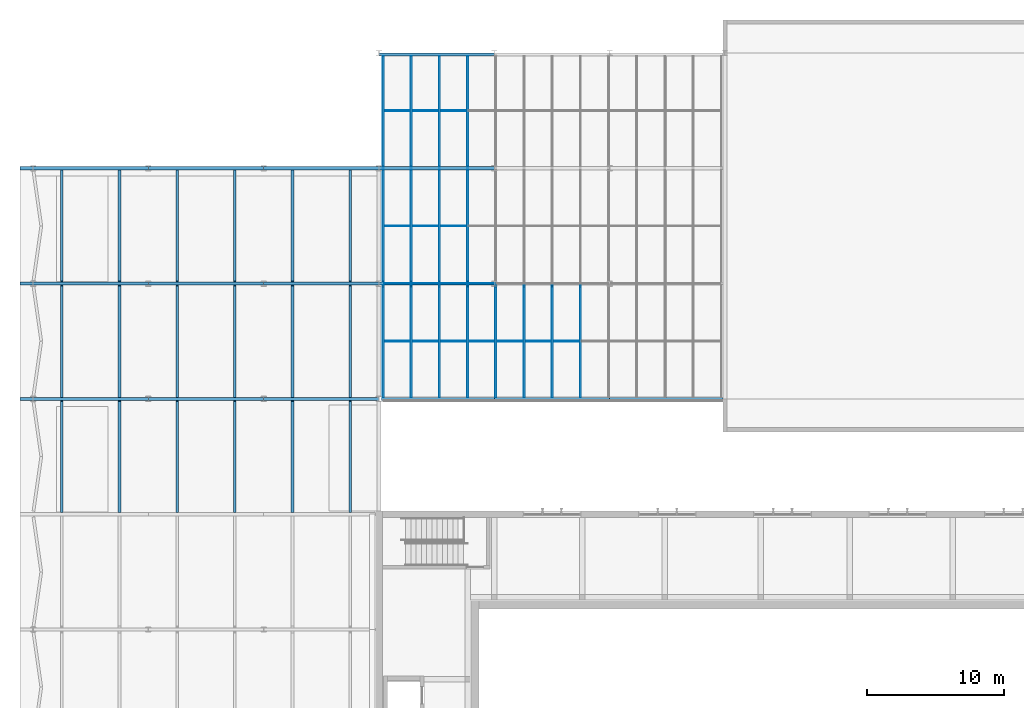
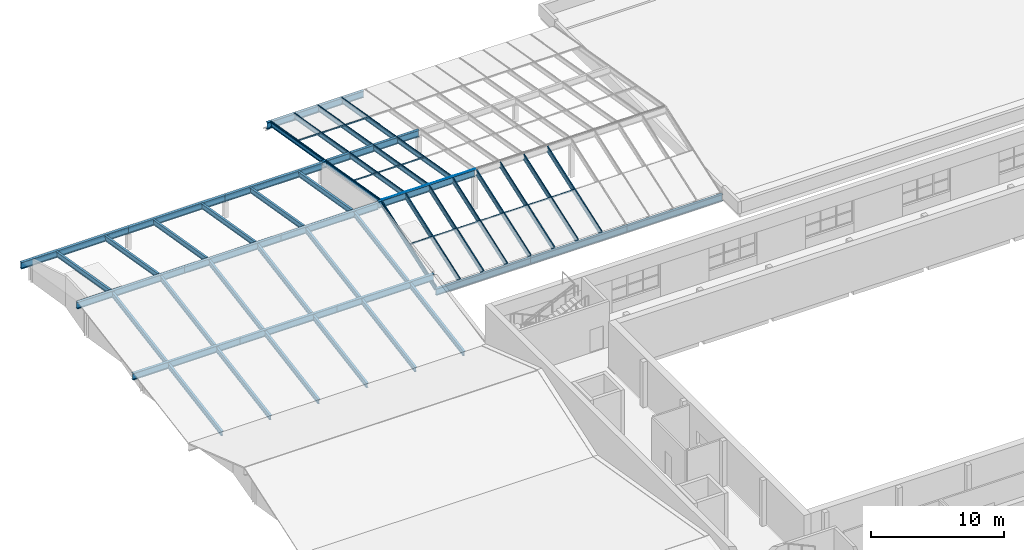
# One storey, part 26 of 60: 49 beams, 33 members, 2 elements without a shape of their own.
"""IFC4 building model written with IfcOpenShell, lengths in metres."""

from ifc_helpers import new_model, si_unit, direction, frame, origin, origin_2d, place, context, subcontext, project, spatial, rectangle, i_section, extrude, material, material_profile, profile_set, type_object, element, aggregate, save


model = new_model("IFC4")

# Units and contexts
model_context = context("Model", 3, precision=1e-05, world=origin(), true_north=direction((0.0, 1.0)))
body_context = subcontext(model_context, "Body", "Model", "MODEL_VIEW")
ifc_project = project(units=[si_unit("LENGTHUNIT", "METRE"), si_unit("AREAUNIT", "SQUARE_METRE"), si_unit("VOLUMEUNIT", "CUBIC_METRE"), si_unit("PLANEANGLEUNIT", "RADIAN"), si_unit("MASSUNIT", "GRAM", prefix="KILO")], contexts=[model_context])

# Site, building, storey
site_placement = place(None, origin())
site = spatial("IfcSite", under=ifc_project, at=site_placement, CompositionType="ELEMENT")
building_placement = place(site_placement, origin())
building = spatial("IfcBuilding", under=site, at=building_placement, Name="Ljudholm Concert House", CompositionType="ELEMENT")
storey_placement = place(building_placement, frame((0.0, 0.0, 15.0)))
storey = spatial("IfcBuildingStorey", under=building, at=storey_placement, Name="L03", CompositionType="ELEMENT", Elevation=15.0)

# Curtain wall, members
ifc_material_1 = material(Name="Aluminium roof glazing with impact-rated laminated glass", Category="aluminium")
curtain_wall_type = type_object("IfcCurtainWallType", Name="GLAZED LANTERN ROOF", PredefinedType="NOTDEFINED", material=ifc_material_1)
curtain_wall_1_placement = place(storey_placement, origin())
curtain_wall_1 = element("IfcCurtainWall", 1, at=curtain_wall_1_placement, inside=storey, type_object=curtain_wall_type, Name="Glazed lantern roof", PredefinedType="NOTDEFINED")
ifc_material_2 = material(Name="Aluminium extrusion", Category="aluminium")
ifc_material_profile_1 = material_profile(ifc_material_2, rectangle(XDim=0.06005859375, YDim=0.05810546875, at=origin_2d()), Name="LANTERN GLAZING BAR 60x58")
ifc_profile_set_1 = profile_set([ifc_material_profile_1], Name="Aluminium extrusion")
member_type_1 = type_object("IfcMemberType", Name="LANTERN GLAZING BAR 60x58", PredefinedType="MULLION", material=ifc_profile_set_1)
member_1_placement = place(storey_placement, frame((29.5, 104.919921875, 0.681640625), z_axis=(0.0, 0.943155877685, 0.332350703907), x_axis=(-1.0, 0.0, 0.0)))
member_1 = element("IfcMember", 2, at=member_1_placement, type_object=member_type_1, Name="Glazing bar", PredefinedType="MULLION", context=body_context, shape_type="SweptSolid", body=[
    extrude(rectangle(XDim=0.06005859375, YDim=0.05810546875, at=origin_2d()), origin(), (0.0, 0.0, 1.0), 8.65185546875),
])
member_2_placement = place(storey_placement, frame((31.55419921875, 104.919921875, 0.681640625), z_axis=(0.0, 0.943155877685, 0.332350703907), x_axis=(-1.0, 0.0, 0.0)))
member_2 = element("IfcMember", 3, at=member_2_placement, type_object=member_type_1, Name="Glazing bar", PredefinedType="MULLION", context=body_context, shape_type="SweptSolid", body=[
    extrude(rectangle(XDim=0.06005859375, YDim=0.05810546875, at=origin_2d()), origin(), (0.0, 0.0, 1.0), 8.65185546875),
])
member_3_placement = place(storey_placement, frame((33.6083984375, 104.919921875, 0.681640625), z_axis=(0.0, 0.943155877685, 0.332350703907), x_axis=(-1.0, 0.0, 0.0)))
member_3 = element("IfcMember", 4, at=member_3_placement, type_object=member_type_1, Name="Glazing bar", PredefinedType="MULLION", context=body_context, shape_type="SweptSolid", body=[
    extrude(rectangle(XDim=0.06005859375, YDim=0.05810546875, at=origin_2d()), origin(), (0.0, 0.0, 1.0), 8.65185546875),
])
member_4_placement = place(storey_placement, frame((35.66259765625, 104.919921875, 0.681640625), z_axis=(0.0, 0.943155877685, 0.332350703907), x_axis=(-1.0, 0.0, 0.0)))
member_4 = element("IfcMember", 5, at=member_4_placement, type_object=member_type_1, Name="Glazing bar", PredefinedType="MULLION", context=body_context, shape_type="SweptSolid", body=[
    extrude(rectangle(XDim=0.06005859375, YDim=0.05810546875, at=origin_2d()), origin(), (0.0, 0.0, 1.0), 8.65185546875),
])
member_5_placement = place(storey_placement, frame((37.716552734375, 104.919921875, 0.681640625), z_axis=(0.0, 0.943155877685, 0.332350703907), x_axis=(-1.0, 0.0, 0.0)))
member_5 = element("IfcMember", 6, at=member_5_placement, type_object=member_type_1, Name="Glazing bar", PredefinedType="MULLION", context=body_context, shape_type="SweptSolid", body=[
    extrude(rectangle(XDim=0.06005859375, YDim=0.05810546875, at=origin_2d()), origin(), (0.0, 0.0, 1.0), 8.65185546875),
])
member_6_placement = place(storey_placement, frame((39.770751953125, 104.919921875, 0.681640625), z_axis=(0.0, 0.943155877685, 0.332350703907), x_axis=(-1.0, 0.0, 0.0)))
member_6 = element("IfcMember", 7, at=member_6_placement, type_object=member_type_1, Name="Glazing bar", PredefinedType="MULLION", context=body_context, shape_type="SweptSolid", body=[
    extrude(rectangle(XDim=0.06005859375, YDim=0.05810546875, at=origin_2d()), origin(), (0.0, 0.0, 1.0), 8.65185546875),
])
member_7_placement = place(storey_placement, frame((41.824951171875, 104.919921875, 0.681640625), z_axis=(0.0, 0.943155877685, 0.332350703907), x_axis=(-1.0, 0.0, 0.0)))
member_7 = element("IfcMember", 8, at=member_7_placement, type_object=member_type_1, Name="Glazing bar", PredefinedType="MULLION", context=body_context, shape_type="SweptSolid", body=[
    extrude(rectangle(XDim=0.06005859375, YDim=0.05810546875, at=origin_2d()), origin(), (0.0, 0.0, 1.0), 8.65185546875),
])
member_8_placement = place(storey_placement, frame((43.879150390625, 104.919921875, 0.681640625), z_axis=(0.0, 0.943155877685, 0.332350703907), x_axis=(-1.0, 0.0, 0.0)))
member_8 = element("IfcMember", 9, at=member_8_placement, type_object=member_type_1, Name="Glazing bar", PredefinedType="MULLION", context=body_context, shape_type="SweptSolid", body=[
    extrude(rectangle(XDim=0.06005859375, YDim=0.05810546875, at=origin_2d()), origin(), (0.0, 0.0, 1.0), 8.65185546875),
])

curtain_wall_2_placement = place(storey_placement, origin())
curtain_wall_2 = element("IfcCurtainWall", 10, at=curtain_wall_2_placement, inside=storey, type_object=curtain_wall_type, Name="Glazed lantern roof", PredefinedType="NOTDEFINED")
member_9_placement = place(storey_placement, frame((29.5, 113.320068359375, 3.580078125), z_axis=(0.0, 0.985738215481, -0.168285978444), x_axis=(-1.0, 0.0, 0.0)))
member_9 = element("IfcMember", 11, at=member_9_placement, type_object=member_type_1, Name="Glazing bar", PredefinedType="MULLION", context=body_context, shape_type="SweptSolid", body=[
    extrude(rectangle(XDim=0.06005859375, YDim=0.05810546875, at=origin_2d()), origin(), (0.0, 0.0, 1.0), 8.278076171875),
])
member_10_placement = place(storey_placement, frame((31.55419921875, 113.320068359375, 3.580078125), z_axis=(0.0, 0.985738215481, -0.168285978444), x_axis=(-1.0, 0.0, 0.0)))
member_10 = element("IfcMember", 12, at=member_10_placement, type_object=member_type_1, Name="Glazing bar", PredefinedType="MULLION", context=body_context, shape_type="SweptSolid", body=[
    extrude(rectangle(XDim=0.06005859375, YDim=0.05810546875, at=origin_2d()), origin(), (0.0, 0.0, 1.0), 8.278076171875),
])
member_11_placement = place(storey_placement, frame((33.6083984375, 113.320068359375, 3.580078125), z_axis=(0.0, 0.985738215481, -0.168285978444), x_axis=(-1.0, 0.0, 0.0)))
member_11 = element("IfcMember", 13, at=member_11_placement, type_object=member_type_1, Name="Glazing bar", PredefinedType="MULLION", context=body_context, shape_type="SweptSolid", body=[
    extrude(rectangle(XDim=0.06005859375, YDim=0.05810546875, at=origin_2d()), origin(), (0.0, 0.0, 1.0), 8.278076171875),
])
member_12_placement = place(storey_placement, frame((35.66259765625, 113.320068359375, 3.580078125), z_axis=(0.0, 0.985738215481, -0.168285978444), x_axis=(-1.0, 0.0, 0.0)))
member_12 = element("IfcMember", 14, at=member_12_placement, type_object=member_type_1, Name="Glazing bar", PredefinedType="MULLION", context=body_context, shape_type="SweptSolid", body=[
    extrude(rectangle(XDim=0.06005859375, YDim=0.05810546875, at=origin_2d()), origin(), (0.0, 0.0, 1.0), 8.278076171875),
])
member_13_placement = place(storey_placement, frame((29.5, 121.719970703125, 2.14599609375), z_axis=(0.0, 0.985741145728, -0.168268813569), x_axis=(-1.0, 0.0, 0.0)))
member_13 = element("IfcMember", 15, at=member_13_placement, type_object=member_type_1, Name="Glazing bar", PredefinedType="MULLION", context=body_context, shape_type="SweptSolid", body=[
    extrude(rectangle(XDim=0.06005859375, YDim=0.05810546875, at=origin_2d()), origin(), (0.0, 0.0, 1.0), 8.161376953125),
])
member_14_placement = place(storey_placement, frame((31.55419921875, 121.719970703125, 2.14599609375), z_axis=(0.0, 0.985741145728, -0.168268813569), x_axis=(-1.0, 0.0, 0.0)))
member_14 = element("IfcMember", 16, at=member_14_placement, type_object=member_type_1, Name="Glazing bar", PredefinedType="MULLION", context=body_context, shape_type="SweptSolid", body=[
    extrude(rectangle(XDim=0.06005859375, YDim=0.05810546875, at=origin_2d()), origin(), (0.0, 0.0, 1.0), 8.161376953125),
])
member_15_placement = place(storey_placement, frame((33.6083984375, 121.719970703125, 2.14599609375), z_axis=(0.0, 0.985741145728, -0.168268813569), x_axis=(-1.0, 0.0, 0.0)))
member_15 = element("IfcMember", 17, at=member_15_placement, type_object=member_type_1, Name="Glazing bar", PredefinedType="MULLION", context=body_context, shape_type="SweptSolid", body=[
    extrude(rectangle(XDim=0.06005859375, YDim=0.05810546875, at=origin_2d()), origin(), (0.0, 0.0, 1.0), 8.161376953125),
])
member_16_placement = place(storey_placement, frame((35.66259765625, 121.719970703125, 2.14599609375), z_axis=(0.0, 0.985741145728, -0.168268813569), x_axis=(-1.0, 0.0, 0.0)))
member_16 = element("IfcMember", 18, at=member_16_placement, type_object=member_type_1, Name="Glazing bar", PredefinedType="MULLION", context=body_context, shape_type="SweptSolid", body=[
    extrude(rectangle(XDim=0.06005859375, YDim=0.05810546875, at=origin_2d()), origin(), (0.0, 0.0, 1.0), 8.161376953125),
])
ifc_material_3 = material(Name="Aluminium extrusion", Category="aluminium")
ifc_material_profile_2 = material_profile(ifc_material_3, rectangle(XDim=0.06005859375, YDim=0.030029296875, at=origin_2d()), Name="LANTERN RIDGE CAP 60x30")
ifc_profile_set_2 = profile_set([ifc_material_profile_2], Name="Aluminium extrusion")
member_type_2 = type_object("IfcMemberType", Name="LANTERN RIDGE CAP 60x30", PredefinedType="USERDEFINED", material=ifc_profile_set_2)
member_17_placement = place(storey_placement, frame((29.570556640625, 113.199951171875, 3.5830078125), z_axis=(1.0, 0.0, 0.0), x_axis=(0.0, 1.0, 0.0)))
member_17 = element("IfcMember", 19, at=member_17_placement, type_object=member_type_2, Name="Lantern ridge cap", ObjectType="TRANSOM", PredefinedType="USERDEFINED", context=body_context, shape_type="SweptSolid", body=[
    extrude(rectangle(XDim=0.06005859375, YDim=0.030029296875, at=origin_2d()), origin(), (0.0, 0.0, 1.0), 1.9130859375),
])
member_18_placement = place(storey_placement, frame((31.624755859375, 113.199951171875, 3.5830078125), z_axis=(1.0, 0.0, 0.0), x_axis=(0.0, 1.0, 0.0)))
member_18 = element("IfcMember", 20, at=member_18_placement, type_object=member_type_2, Name="Lantern ridge cap", ObjectType="TRANSOM", PredefinedType="USERDEFINED", context=body_context, shape_type="SweptSolid", body=[
    extrude(rectangle(XDim=0.06005859375, YDim=0.030029296875, at=origin_2d()), origin(), (0.0, 0.0, 1.0), 1.9130859375),
])
member_19_placement = place(storey_placement, frame((33.6787109375, 113.199951171875, 3.5830078125), z_axis=(1.0, 0.0, 0.0), x_axis=(0.0, 1.0, 0.0)))
member_19 = element("IfcMember", 21, at=member_19_placement, type_object=member_type_2, Name="Lantern ridge cap", ObjectType="TRANSOM", PredefinedType="USERDEFINED", context=body_context, shape_type="SweptSolid", body=[
    extrude(rectangle(XDim=0.06005859375, YDim=0.030029296875, at=origin_2d()), origin(), (0.0, 0.0, 1.0), 1.913330078125),
])
member_20_placement = place(storey_placement, frame((35.73291015625, 113.199951171875, 3.5830078125), z_axis=(1.0, 0.0, 0.0), x_axis=(0.0, 1.0, 0.0)))
member_20 = element("IfcMember", 22, at=member_20_placement, type_object=member_type_2, Name="Lantern ridge cap", ObjectType="TRANSOM", PredefinedType="USERDEFINED", context=body_context, shape_type="SweptSolid", body=[
    extrude(rectangle(XDim=0.06005859375, YDim=0.030029296875, at=origin_2d()), origin(), (0.0, 0.0, 1.0), 1.913330078125),
])

# Member
ifc_material_4 = material(Name="Aluminium extrusion", Category="aluminium")
ifc_material_profile_3 = material_profile(ifc_material_4, rectangle(XDim=0.06005859375, YDim=0.080078125, at=origin_2d()), Name="LANTERN TRANSOM 60x80")
ifc_profile_set_3 = profile_set([ifc_material_profile_3], Name="Aluminium extrusion")
member_type_3 = type_object("IfcMemberType", Name="LANTERN TRANSOM 60x80", PredefinedType="USERDEFINED", material=ifc_profile_set_3)
member_21_placement = place(storey_placement, frame((29.570556640625, 109.0, 2.05029296875), z_axis=(1.0, 0.0, 0.0), x_axis=(0.0, 1.0, 0.0)))
member_21 = element("IfcMember", 23, at=member_21_placement, type_object=member_type_3, Name="Lantern transom", ObjectType="TRANSOM", PredefinedType="USERDEFINED", context=body_context, shape_type="SweptSolid", body=[
    extrude(rectangle(XDim=0.06005859375, YDim=0.080078125, at=origin_2d()), origin(), (0.0, 0.0, 1.0), 1.9130859375),
])

member_22_placement = place(storey_placement, frame((31.624755859375, 109.0, 2.05029296875), z_axis=(1.0, 0.0, 0.0), x_axis=(0.0, 1.0, 0.0)))
member_22 = element("IfcMember", 24, at=member_22_placement, type_object=member_type_3, Name="Lantern transom", ObjectType="TRANSOM", PredefinedType="USERDEFINED", context=body_context, shape_type="SweptSolid", body=[
    extrude(rectangle(XDim=0.06005859375, YDim=0.080078125, at=origin_2d()), origin(), (0.0, 0.0, 1.0), 1.9130859375),
])

member_23_placement = place(storey_placement, frame((33.6787109375, 109.0, 2.05029296875), z_axis=(1.0, 0.0, 0.0), x_axis=(0.0, 1.0, 0.0)))
member_23 = element("IfcMember", 25, at=member_23_placement, type_object=member_type_3, Name="Lantern transom", ObjectType="TRANSOM", PredefinedType="USERDEFINED", context=body_context, shape_type="SweptSolid", body=[
    extrude(rectangle(XDim=0.06005859375, YDim=0.080078125, at=origin_2d()), origin(), (0.0, 0.0, 1.0), 1.913330078125),
])

member_24_placement = place(storey_placement, frame((35.73291015625, 109.0, 2.05029296875), z_axis=(1.0, 0.0, 0.0), x_axis=(0.0, 1.0, 0.0)))
member_24 = element("IfcMember", 26, at=member_24_placement, type_object=member_type_3, Name="Lantern transom", ObjectType="TRANSOM", PredefinedType="USERDEFINED", context=body_context, shape_type="SweptSolid", body=[
    extrude(rectangle(XDim=0.06005859375, YDim=0.080078125, at=origin_2d()), origin(), (0.0, 0.0, 1.0), 1.913330078125),
])

member_25_placement = place(storey_placement, frame((37.787109375, 109.0, 2.05029296875), z_axis=(1.0, 0.0, 0.0), x_axis=(0.0, 1.0, 0.0)))
member_25 = element("IfcMember", 27, at=member_25_placement, type_object=member_type_3, Name="Lantern transom", ObjectType="TRANSOM", PredefinedType="USERDEFINED", context=body_context, shape_type="SweptSolid", body=[
    extrude(rectangle(XDim=0.06005859375, YDim=0.080078125, at=origin_2d()), origin(), (0.0, 0.0, 1.0), 1.913330078125),
])

member_26_placement = place(storey_placement, frame((39.84130859375, 109.0, 2.05029296875), z_axis=(1.0, 0.0, 0.0), x_axis=(0.0, 1.0, 0.0)))
member_26 = element("IfcMember", 28, at=member_26_placement, type_object=member_type_3, Name="Lantern transom", ObjectType="TRANSOM", PredefinedType="USERDEFINED", context=body_context, shape_type="SweptSolid", body=[
    extrude(rectangle(XDim=0.06005859375, YDim=0.080078125, at=origin_2d()), origin(), (0.0, 0.0, 1.0), 1.9130859375),
])

member_27_placement = place(storey_placement, frame((41.8955078125, 109.0, 2.05029296875), z_axis=(1.0, 0.0, 0.0), x_axis=(0.0, 1.0, 0.0)))
member_27 = element("IfcMember", 29, at=member_27_placement, type_object=member_type_3, Name="Lantern transom", ObjectType="TRANSOM", PredefinedType="USERDEFINED", context=body_context, shape_type="SweptSolid", body=[
    extrude(rectangle(XDim=0.06005859375, YDim=0.080078125, at=origin_2d()), origin(), (0.0, 0.0, 1.0), 1.9130859375),
])

aggregate(curtain_wall_1, [member_1, member_2, member_3, member_4, member_5, member_6, member_7, member_8, member_21, member_22, member_23, member_24, member_25, member_26, member_27])

member_28_placement = place(storey_placement, frame((29.570556640625, 117.39990234375, 2.814697265625), z_axis=(1.0, 0.0, 0.0), x_axis=(0.0, 1.0, 0.0)))
member_28 = element("IfcMember", 30, at=member_28_placement, type_object=member_type_3, Name="Lantern transom", ObjectType="TRANSOM", PredefinedType="USERDEFINED", context=body_context, shape_type="SweptSolid", body=[
    extrude(rectangle(XDim=0.06005859375, YDim=0.080078125, at=origin_2d()), origin(), (0.0, 0.0, 1.0), 1.9130859375),
])

member_29_placement = place(storey_placement, frame((31.624755859375, 117.39990234375, 2.814697265625), z_axis=(1.0, 0.0, 0.0), x_axis=(0.0, 1.0, 0.0)))
member_29 = element("IfcMember", 31, at=member_29_placement, type_object=member_type_3, Name="Lantern transom", ObjectType="TRANSOM", PredefinedType="USERDEFINED", context=body_context, shape_type="SweptSolid", body=[
    extrude(rectangle(XDim=0.06005859375, YDim=0.080078125, at=origin_2d()), origin(), (0.0, 0.0, 1.0), 1.9130859375),
])

member_30_placement = place(storey_placement, frame((33.6787109375, 117.39990234375, 2.814697265625), z_axis=(1.0, 0.0, 0.0), x_axis=(0.0, 1.0, 0.0)))
member_30 = element("IfcMember", 32, at=member_30_placement, type_object=member_type_3, Name="Lantern transom", ObjectType="TRANSOM", PredefinedType="USERDEFINED", context=body_context, shape_type="SweptSolid", body=[
    extrude(rectangle(XDim=0.06005859375, YDim=0.080078125, at=origin_2d()), origin(), (0.0, 0.0, 1.0), 1.913330078125),
])

member_31_placement = place(storey_placement, frame((29.570556640625, 125.800048828125, 1.380615234375), z_axis=(1.0, 0.0, 0.0), x_axis=(0.0, 1.0, 0.0)))
member_31 = element("IfcMember", 33, at=member_31_placement, type_object=member_type_3, Name="Lantern transom", ObjectType="TRANSOM", PredefinedType="USERDEFINED", context=body_context, shape_type="SweptSolid", body=[
    extrude(rectangle(XDim=0.06005859375, YDim=0.080078125, at=origin_2d()), origin(), (0.0, 0.0, 1.0), 1.9130859375),
])

member_32_placement = place(storey_placement, frame((31.624755859375, 125.800048828125, 1.380615234375), z_axis=(1.0, 0.0, 0.0), x_axis=(0.0, 1.0, 0.0)))
member_32 = element("IfcMember", 34, at=member_32_placement, type_object=member_type_3, Name="Lantern transom", ObjectType="TRANSOM", PredefinedType="USERDEFINED", context=body_context, shape_type="SweptSolid", body=[
    extrude(rectangle(XDim=0.06005859375, YDim=0.080078125, at=origin_2d()), origin(), (0.0, 0.0, 1.0), 1.9130859375),
])

member_33_placement = place(storey_placement, frame((33.6787109375, 125.800048828125, 1.380615234375), z_axis=(1.0, 0.0, 0.0), x_axis=(0.0, 1.0, 0.0)))
member_33 = element("IfcMember", 35, at=member_33_placement, type_object=member_type_3, Name="Lantern transom", ObjectType="TRANSOM", PredefinedType="USERDEFINED", context=body_context, shape_type="SweptSolid", body=[
    extrude(rectangle(XDim=0.06005859375, YDim=0.080078125, at=origin_2d()), origin(), (0.0, 0.0, 1.0), 1.913330078125),
])

aggregate(curtain_wall_2, [member_9, member_10, member_11, member_12, member_28, member_29, member_30, member_13, member_14, member_15, member_16, member_31, member_32, member_33, member_17, member_18, member_19, member_20])

# Beams
ifc_material_5 = material(Name="Steel ASTM A992", Category="steel")
ifc_material_profile_4 = material_profile(ifc_material_5, i_section(OverallWidth=0.177734375, OverallDepth=0.406494140625, WebThickness=0.0078125, FlangeThickness=0.012939453125, FilletRadius=0.01025390625, at=origin_2d()), Name="W16X40")
ifc_profile_set_4 = profile_set([ifc_material_profile_4], Name="Steel ASTM A992")
beam_type_1 = type_object("IfcBeamType", Name="STEEL BEAM W16X40", PredefinedType="BEAM", material=ifc_profile_set_4)
for number, where, z_axis, x_axis, name in (
    (36, (29.5, 104.981689453125, 0.458984375), (0.0, 0.943162118982, 0.332332991618), (-1.0, 0.0, 0.0), "Roof rafter"),
    (37, (31.55419921875, 104.981689453125, 0.458984375), (0.0, 0.943162118982, 0.332332991618), (-1.0, 0.0, 0.0), "Roof rafter"),
    (38, (33.6083984375, 104.981689453125, 0.458984375), (0.0, 0.943162118982, 0.332332991618), (-1.0, 0.0, 0.0), "Roof rafter"),
    (39, (35.66259765625, 104.981689453125, 0.458984375), (0.0, 0.943162118982, 0.332332991618), (-1.0, 0.0, 0.0), "Roof rafter"),
    (40, (37.716552734375, 104.981689453125, 0.458984375), (0.0, 0.943162118982, 0.332332991618), (-1.0, 0.0, 0.0), "Roof rafter"),
    (41, (39.770751953125, 104.981689453125, 0.458984375), (0.0, 0.943162118982, 0.332332991618), (-1.0, 0.0, 0.0), "Roof rafter"),
    (42, (41.824951171875, 104.981689453125, 0.458984375), (0.0, 0.943162118982, 0.332332991618), (-1.0, 0.0, 0.0), "Roof rafter"),
    (43, (43.879150390625, 104.981689453125, 0.458984375), (0.0, 0.943162118982, 0.332332991618), (-1.0, 0.0, 0.0), "Roof rafter"),
):
    element("IfcBeam", number, at=place(storey_placement, frame(where, z_axis=z_axis, x_axis=x_axis)), inside=storey, type_object=beam_type_1, Name=name, PredefinedType="BEAM", context=body_context, shape_type="SweptSolid", body=[
        extrude(i_section(OverallWidth=0.177734375, OverallDepth=0.406494140625, WebThickness=0.0078125, FlangeThickness=0.012939453125, FilletRadius=0.01025390625, at=origin_2d()), origin(), (0.0, 0.0, 1.0), 8.52099609375),
    ])
for number, where, z_axis, x_axis, name in (
    (44, (29.5, 113.348388671875, 3.340087890625), (0.0, 0.985740150522, -0.168274643513), (-1.0, 0.0, 0.0), "Roof rafter"),
    (45, (31.55419921875, 113.348388671875, 3.340087890625), (0.0, 0.985740150522, -0.168274643513), (-1.0, 0.0, 0.0), "Roof rafter"),
    (46, (33.6083984375, 113.348388671875, 3.340087890625), (0.0, 0.985740150522, -0.168274643513), (-1.0, 0.0, 0.0), "Roof rafter"),
    (47, (35.66259765625, 113.348388671875, 3.340087890625), (0.0, 0.985740150522, -0.168274643513), (-1.0, 0.0, 0.0), "Roof rafter"),
):
    element("IfcBeam", number, at=place(storey_placement, frame(where, z_axis=z_axis, x_axis=x_axis)), inside=storey, type_object=beam_type_1, Name=name, PredefinedType="BEAM", context=body_context, shape_type="SweptSolid", body=[
        extrude(i_section(OverallWidth=0.177734375, OverallDepth=0.406494140625, WebThickness=0.0078125, FlangeThickness=0.012939453125, FilletRadius=0.01025390625, at=origin_2d()), origin(), (0.0, 0.0, 1.0), 8.220458984375),
    ])
for number, where, z_axis, x_axis, name in (
    (48, (29.5, 121.74853515625, 1.906005859375), (0.0, 0.985742276271, -0.168262190561), (-1.0, 0.0, 0.0), "Roof rafter"),
    (49, (31.55419921875, 121.74853515625, 1.906005859375), (0.0, 0.985742276271, -0.168262190561), (-1.0, 0.0, 0.0), "Roof rafter"),
    (50, (33.6083984375, 121.74853515625, 1.906005859375), (0.0, 0.985742276271, -0.168262190561), (-1.0, 0.0, 0.0), "Roof rafter"),
    (51, (35.66259765625, 121.74853515625, 1.906005859375), (0.0, 0.985742276271, -0.168262190561), (-1.0, 0.0, 0.0), "Roof rafter"),
):
    element("IfcBeam", number, at=place(storey_placement, frame(where, z_axis=z_axis, x_axis=x_axis)), inside=storey, type_object=beam_type_1, Name=name, PredefinedType="BEAM", context=body_context, shape_type="SweptSolid", body=[
        extrude(i_section(OverallWidth=0.177734375, OverallDepth=0.406494140625, WebThickness=0.0078125, FlangeThickness=0.012939453125, FilletRadius=0.01025390625, at=origin_2d()), origin(), (0.0, 0.0, 1.0), 8.103515625),
    ])
ifc_material_6 = material(Name="Steel ASTM A992", Category="steel")
ifc_material_profile_5 = material_profile(ifc_material_6, i_section(OverallWidth=0.1904296875, OverallDepth=0.457275390625, WebThickness=0.009033203125, FlangeThickness=0.014404296875, FilletRadius=0.01025390625, at=origin_2d()), Name="W18X50")
ifc_profile_set_5 = profile_set([ifc_material_profile_5], Name="Steel ASTM A992")
beam_type_2 = type_object("IfcBeamType", Name="STEEL BEAM W18X50", PredefinedType="BEAM", material=ifc_profile_set_5)
for number, where, z_axis, x_axis, name in (
    (52, (6.10009765625, 96.552734375, 0.4248046875), (0.0, 0.985739432849, 0.168278847532), (-1.0, 0.0, 0.0), "Roof rafter"),
    (53, (10.300048828125, 96.552734375, 0.4248046875), (0.0, 0.985739432849, 0.168278847532), (-1.0, 0.0, 0.0), "Roof rafter"),
    (54, (14.5, 96.552734375, 0.4248046875), (0.0, 0.985739432849, 0.168278847532), (-1.0, 0.0, 0.0), "Roof rafter"),
    (55, (18.699951171875, 96.552734375, 0.4248046875), (0.0, 0.985739432849, 0.168278847532), (-1.0, 0.0, 0.0), "Roof rafter"),
    (56, (22.89990234375, 96.552734375, 0.4248046875), (0.0, 0.985739432849, 0.168278847532), (-1.0, 0.0, 0.0), "Roof rafter"),
    (57, (27.10009765625, 96.552734375, 0.4248046875), (0.0, 0.985739432849, 0.168278847532), (-1.0, 0.0, 0.0), "Roof rafter"),
):
    element("IfcBeam", number, at=place(storey_placement, frame(where, z_axis=z_axis, x_axis=x_axis)), inside=storey, type_object=beam_type_2, Name=name, PredefinedType="BEAM", context=body_context, shape_type="SweptSolid", body=[
        extrude(i_section(OverallWidth=0.1904296875, OverallDepth=0.457275390625, WebThickness=0.009033203125, FlangeThickness=0.014404296875, FilletRadius=0.01025390625, at=origin_2d()), origin(), (0.0, 0.0, 1.0), 8.211669921875),
    ])
for number, where, z_axis, x_axis, name in (
    (58, (6.10009765625, 104.95263671875, 1.858642578125), (0.0, 0.985740274734, 0.168273915882), (-1.0, 0.0, 0.0), "Roof rafter"),
    (59, (10.300048828125, 104.95263671875, 1.858642578125), (0.0, 0.985740274734, 0.168273915882), (-1.0, 0.0, 0.0), "Roof rafter"),
    (60, (14.5, 104.95263671875, 1.858642578125), (0.0, 0.985740274734, 0.168273915882), (-1.0, 0.0, 0.0), "Roof rafter"),
    (61, (18.699951171875, 104.95263671875, 1.858642578125), (0.0, 0.985740274734, 0.168273915882), (-1.0, 0.0, 0.0), "Roof rafter"),
    (62, (22.89990234375, 104.95263671875, 1.858642578125), (0.0, 0.985740274734, 0.168273915882), (-1.0, 0.0, 0.0), "Roof rafter"),
    (63, (27.10009765625, 104.95263671875, 1.858642578125), (0.0, 0.985740274734, 0.168273915882), (-1.0, 0.0, 0.0), "Roof rafter"),
):
    element("IfcBeam", number, at=place(storey_placement, frame(where, z_axis=z_axis, x_axis=x_axis)), inside=storey, type_object=beam_type_2, Name=name, PredefinedType="BEAM", context=body_context, shape_type="SweptSolid", body=[
        extrude(i_section(OverallWidth=0.1904296875, OverallDepth=0.457275390625, WebThickness=0.009033203125, FlangeThickness=0.014404296875, FilletRadius=0.01025390625, at=origin_2d()), origin(), (0.0, 0.0, 1.0), 8.2119140625),
    ])
for number, where, z_axis, x_axis, name in (
    (64, (6.10009765625, 113.352783203125, 3.240478515625), (0.0, 0.985739432849, -0.168278847532), (-1.0, 0.0, 0.0), "Roof rafter"),
    (65, (10.300048828125, 113.352783203125, 3.240478515625), (0.0, 0.985739432849, -0.168278847532), (-1.0, 0.0, 0.0), "Roof rafter"),
    (66, (14.5, 113.352783203125, 3.240478515625), (0.0, 0.985739432849, -0.168278847532), (-1.0, 0.0, 0.0), "Roof rafter"),
    (67, (18.699951171875, 113.352783203125, 3.240478515625), (0.0, 0.985739432849, -0.168278847532), (-1.0, 0.0, 0.0), "Roof rafter"),
    (68, (22.89990234375, 113.352783203125, 3.240478515625), (0.0, 0.985739432849, -0.168278847532), (-1.0, 0.0, 0.0), "Roof rafter"),
    (69, (27.10009765625, 113.352783203125, 3.240478515625), (0.0, 0.985739432849, -0.168278847532), (-1.0, 0.0, 0.0), "Roof rafter"),
):
    element("IfcBeam", number, at=place(storey_placement, frame(where, z_axis=z_axis, x_axis=x_axis)), inside=storey, type_object=beam_type_2, Name=name, PredefinedType="BEAM", context=body_context, shape_type="SweptSolid", body=[
        extrude(i_section(OverallWidth=0.1904296875, OverallDepth=0.457275390625, WebThickness=0.009033203125, FlangeThickness=0.014404296875, FilletRadius=0.01025390625, at=origin_2d()), origin(), (0.0, 0.0, 1.0), 8.211669921875),
    ])
ifc_material_7 = material(Name="Steel ASTM A992", Category="steel")
ifc_material_profile_6 = material_profile(ifc_material_7, i_section(OverallWidth=0.22900390625, OverallDepth=0.612060546875, WebThickness=0.011962890625, FlangeThickness=0.01953125, FilletRadius=0.0126953125, at=origin_2d()), Name="W24X84")
ifc_profile_set_6 = profile_set([ifc_material_profile_6], Name="Steel ASTM A992")
beam_type_3 = type_object("IfcBeamType", Name="STEEL BEAM W24X84", PredefinedType="BEAM", material=ifc_profile_set_6)
beam_1_placement = place(storey_placement, frame((3.050048828125, 104.800048828125, 1.758544921875), z_axis=(1.0, 0.0, 0.0), x_axis=(0.0, 1.0, 0.0)))
element("IfcBeam", 70, at=beam_1_placement, inside=storey, type_object=beam_type_3, Name="Roof girder", PredefinedType="BEAM", context=body_context, shape_type="SweptSolid", body=[
    extrude(i_section(OverallWidth=0.22900390625, OverallDepth=0.612060546875, WebThickness=0.011962890625, FlangeThickness=0.01953125, FilletRadius=0.0126953125, at=origin_2d()), origin(), (0.0, 0.0, 1.0), 9.349853515625),
])
beam_2_placement = place(storey_placement, frame((12.39990234375, 104.800048828125, 1.758544921875), z_axis=(1.0, 0.0, 0.0), x_axis=(0.0, 1.0, 0.0)))
element("IfcBeam", 71, at=beam_2_placement, inside=storey, type_object=beam_type_3, Name="Roof girder", PredefinedType="BEAM", context=body_context, shape_type="SweptSolid", body=[
    extrude(i_section(OverallWidth=0.22900390625, OverallDepth=0.612060546875, WebThickness=0.011962890625, FlangeThickness=0.01953125, FilletRadius=0.0126953125, at=origin_2d()), origin(), (0.0, 0.0, 1.0), 8.400146484375),
])
beam_3_placement = place(storey_placement, frame((20.800048828125, 104.800048828125, 1.758544921875), z_axis=(1.0, 0.0, 0.0), x_axis=(0.0, 1.0, 0.0)))
element("IfcBeam", 72, at=beam_3_placement, inside=storey, type_object=beam_type_3, Name="Roof girder", PredefinedType="BEAM", context=body_context, shape_type="SweptSolid", body=[
    extrude(i_section(OverallWidth=0.22900390625, OverallDepth=0.612060546875, WebThickness=0.011962890625, FlangeThickness=0.01953125, FilletRadius=0.0126953125, at=origin_2d()), origin(), (0.0, 0.0, 1.0), 8.39990234375),
])
beam_4_placement = place(storey_placement, frame((3.050048828125, 113.199951171875, 3.1923828125), z_axis=(1.0, 0.0, 0.0), x_axis=(0.0, 1.0, 0.0)))
element("IfcBeam", 73, at=beam_4_placement, inside=storey, type_object=beam_type_3, Name="Roof girder", PredefinedType="BEAM", context=body_context, shape_type="SweptSolid", body=[
    extrude(i_section(OverallWidth=0.22900390625, OverallDepth=0.612060546875, WebThickness=0.011962890625, FlangeThickness=0.01953125, FilletRadius=0.0126953125, at=origin_2d()), origin(), (0.0, 0.0, 1.0), 9.349853515625),
])
beam_5_placement = place(storey_placement, frame((12.39990234375, 113.199951171875, 3.1923828125), z_axis=(1.0, 0.0, 0.0), x_axis=(0.0, 1.0, 0.0)))
element("IfcBeam", 74, at=beam_5_placement, inside=storey, type_object=beam_type_3, Name="Roof girder", PredefinedType="BEAM", context=body_context, shape_type="SweptSolid", body=[
    extrude(i_section(OverallWidth=0.22900390625, OverallDepth=0.612060546875, WebThickness=0.011962890625, FlangeThickness=0.01953125, FilletRadius=0.0126953125, at=origin_2d()), origin(), (0.0, 0.0, 1.0), 8.400146484375),
])
beam_6_placement = place(storey_placement, frame((20.800048828125, 113.199951171875, 3.1923828125), z_axis=(1.0, 0.0, 0.0), x_axis=(0.0, 1.0, 0.0)))
element("IfcBeam", 75, at=beam_6_placement, inside=storey, type_object=beam_type_3, Name="Roof girder", PredefinedType="BEAM", context=body_context, shape_type="SweptSolid", body=[
    extrude(i_section(OverallWidth=0.22900390625, OverallDepth=0.612060546875, WebThickness=0.011962890625, FlangeThickness=0.01953125, FilletRadius=0.0126953125, at=origin_2d()), origin(), (0.0, 0.0, 1.0), 8.39990234375),
])
beam_7_placement = place(storey_placement, frame((3.050048828125, 121.60009765625, 1.758544921875), z_axis=(1.0, 0.0, 0.0), x_axis=(0.0, 1.0, 0.0)))
element("IfcBeam", 76, at=beam_7_placement, inside=storey, type_object=beam_type_3, Name="Roof girder", PredefinedType="BEAM", context=body_context, shape_type="SweptSolid", body=[
    extrude(i_section(OverallWidth=0.22900390625, OverallDepth=0.612060546875, WebThickness=0.011962890625, FlangeThickness=0.01953125, FilletRadius=0.0126953125, at=origin_2d()), origin(), (0.0, 0.0, 1.0), 9.349853515625),
])
beam_8_placement = place(storey_placement, frame((12.39990234375, 121.60009765625, 1.758544921875), z_axis=(1.0, 0.0, 0.0), x_axis=(0.0, 1.0, 0.0)))
element("IfcBeam", 77, at=beam_8_placement, inside=storey, type_object=beam_type_3, Name="Roof girder", PredefinedType="BEAM", context=body_context, shape_type="SweptSolid", body=[
    extrude(i_section(OverallWidth=0.22900390625, OverallDepth=0.612060546875, WebThickness=0.011962890625, FlangeThickness=0.01953125, FilletRadius=0.0126953125, at=origin_2d()), origin(), (0.0, 0.0, 1.0), 8.400146484375),
])
beam_9_placement = place(storey_placement, frame((20.800048828125, 121.60009765625, 1.758544921875), z_axis=(1.0, 0.0, 0.0), x_axis=(0.0, 1.0, 0.0)))
element("IfcBeam", 78, at=beam_9_placement, inside=storey, type_object=beam_type_3, Name="Roof girder", PredefinedType="BEAM", context=body_context, shape_type="SweptSolid", body=[
    extrude(i_section(OverallWidth=0.22900390625, OverallDepth=0.612060546875, WebThickness=0.011962890625, FlangeThickness=0.01953125, FilletRadius=0.0126953125, at=origin_2d()), origin(), (0.0, 0.0, 1.0), 8.39990234375),
])
beam_10_placement = place(storey_placement, frame((29.384033203125, 104.800048828125, 0.30419921875), z_axis=(1.0, 0.0, 0.0), x_axis=(0.0, 1.0, 0.0)))
element("IfcBeam", 79, at=beam_10_placement, inside=storey, type_object=beam_type_3, Name="Roof girder", PredefinedType="BEAM", context=body_context, shape_type="SweptSolid", body=[
    extrude(i_section(OverallWidth=0.22900390625, OverallDepth=0.612060546875, WebThickness=0.011962890625, FlangeThickness=0.01953125, FilletRadius=0.0126953125, at=origin_2d()), origin(), (0.0, 0.0, 1.0), 8.216064453125),
])
beam_11_placement = place(storey_placement, frame((37.60009765625, 104.800048828125, 0.30419921875), z_axis=(1.0, 0.0, 0.0), x_axis=(0.0, 1.0, 0.0)))
element("IfcBeam", 80, at=beam_11_placement, inside=storey, type_object=beam_type_3, Name="Roof girder", PredefinedType="BEAM", context=body_context, shape_type="SweptSolid", body=[
    extrude(i_section(OverallWidth=0.22900390625, OverallDepth=0.612060546875, WebThickness=0.011962890625, FlangeThickness=0.01953125, FilletRadius=0.0126953125, at=origin_2d()), origin(), (0.0, 0.0, 1.0), 8.39990234375),
])
beam_12_placement = place(storey_placement, frame((46.0, 104.800048828125, 0.30419921875), z_axis=(1.0, 0.0, 0.0), x_axis=(0.0, 1.0, 0.0)))
element("IfcBeam", 81, at=beam_12_placement, inside=storey, type_object=beam_type_3, Name="Roof girder", PredefinedType="BEAM", context=body_context, shape_type="SweptSolid", body=[
    extrude(i_section(OverallWidth=0.22900390625, OverallDepth=0.612060546875, WebThickness=0.011962890625, FlangeThickness=0.01953125, FilletRadius=0.0126953125, at=origin_2d()), origin(), (0.0, 0.0, 1.0), 8.25),
])
for number, where, z_axis, x_axis, name in (
    (82, (29.199951171875, 113.199951171875, 3.265869140625), (1.0, 0.0, 0.0), (0.0, 1.0, 0.0), "Roof girder"),
    (83, (29.199951171875, 121.60009765625, 1.83154296875), (1.0, 0.0, 0.0), (0.0, 1.0, 0.0), "Roof girder"),
    (84, (29.199951171875, 129.885009765625, 0.417236328125), (1.0, 0.0, 0.0), (0.0, 1.0, 0.0), "Roof girder"),
):
    element("IfcBeam", number, at=place(storey_placement, frame(where, z_axis=z_axis, x_axis=x_axis)), inside=storey, type_object=beam_type_3, Name=name, PredefinedType="BEAM", context=body_context, shape_type="SweptSolid", body=[
        extrude(i_section(OverallWidth=0.22900390625, OverallDepth=0.612060546875, WebThickness=0.011962890625, FlangeThickness=0.01953125, FilletRadius=0.0126953125, at=origin_2d()), origin(), (0.0, 0.0, 1.0), 8.400146484375),
    ])

save(model, "model.ifc")
